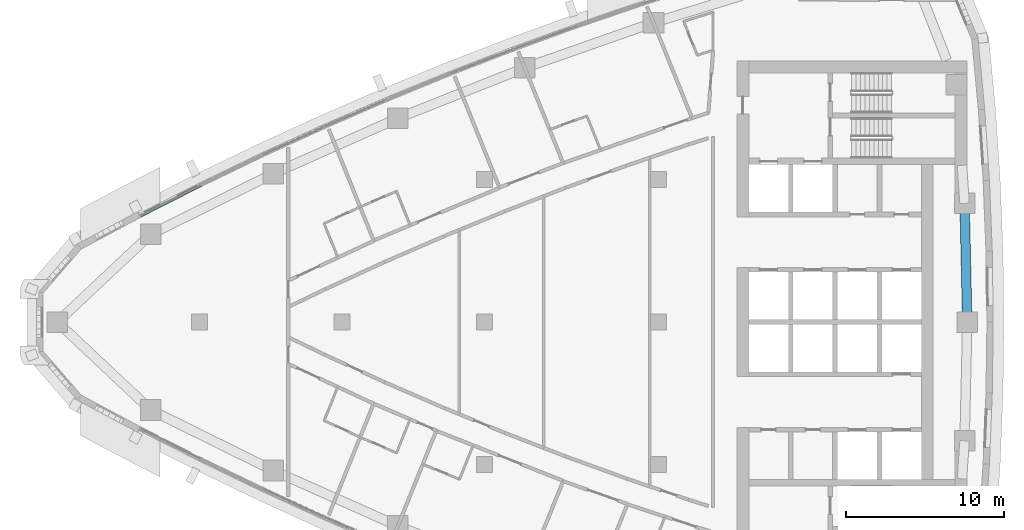
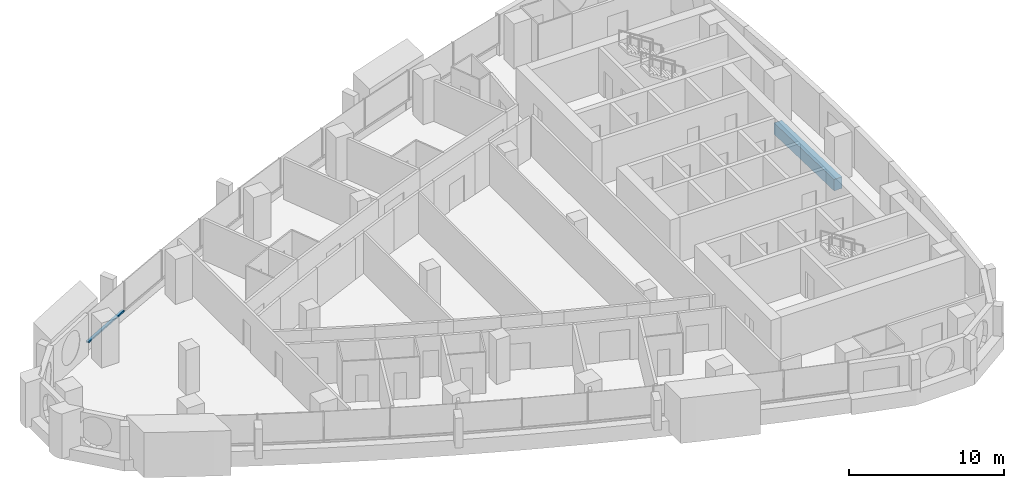
# One storey, part 5 of 17: 1 beam, 1 member, 1 element without a shape of its own.
"""IFC4 building model written with IfcOpenShell, lengths in metres."""

from ifc_helpers import new_model, si_unit, direction, frame, origin, origin_2d, place, context, subcontext, project, spatial, rectangle, extrude, material, layer, layer_set, material_profile, profile_set, type_object, element, aggregate, save


model = new_model("IFC4")

# Units and contexts
model_context = context("Model", 3, precision=1e-05, world=origin(), true_north=direction((0.0, 1.0)))
body_context = subcontext(model_context, "Body", "Model", "MODEL_VIEW")
ifc_project = project(units=[si_unit("LENGTHUNIT", "METRE"), si_unit("AREAUNIT", "SQUARE_METRE"), si_unit("VOLUMEUNIT", "CUBIC_METRE"), si_unit("PLANEANGLEUNIT", "RADIAN"), si_unit("MASSUNIT", "GRAM", prefix="KILO")], contexts=[model_context])

# Site, building, storey
site_placement = place(None, origin())
site = spatial("IfcSite", under=ifc_project, at=site_placement, CompositionType="ELEMENT")
building_placement = place(site_placement, origin())
building = spatial("IfcBuilding", under=site, at=building_placement, Name="Ostrand Prow Hotel Tower", CompositionType="ELEMENT")
storey_placement = place(building_placement, frame((0.0, 0.0, 200.35009765625)))
storey = spatial("IfcBuildingStorey", under=building, at=storey_placement, Name="L50", CompositionType="ELEMENT", Elevation=200.35009765625)

# Beam
ifc_material_1 = material(Name="Concrete C60/75", Category="concrete")
ifc_material_profile_1 = material_profile(ifc_material_1, rectangle(XDim=0.60009765625, YDim=0.89990234375, at=origin_2d()), Name="RC 600x900")
ifc_profile_set_1 = profile_set([ifc_material_profile_1], Name="Concrete C60/75")
beam_type = type_object("IfcBeamType", Name="Edge beam 600x900 C60/75", PredefinedType="SPANDREL", material=ifc_profile_set_1)
beam_placement = place(storey_placement, frame((64.5, 0.0, -0.75), z_axis=(-0.022620118241, 0.999744132391, 0.0), x_axis=(-0.999744132391, -0.022620118241, 0.0)))
element("IfcBeam", 1, at=beam_placement, inside=storey, type_object=beam_type, Name="Edge beam B3-B4", PredefinedType="SPANDREL", context=body_context, shape_type="SweptSolid", body=[
    extrude(rectangle(XDim=0.60009765625, YDim=0.89990234375, at=origin_2d()), origin(), (0.0, 0.0, 1.0), 7.501220703125),
])

# Curtain wall, member
ifc_material_2 = material(Name="Insulated glass in bronze anodised frame", Category="glass")
ifc_layer = layer(ifc_material_2, 0.199951171875)
ifc_layer_set = layer_set([ifc_layer], Name="Insulated glass in bronze anodised frame")
curtain_wall_type = type_object("IfcCurtainWallType", Name="Strip curtain wall, fritted glass over bronze spandrel", PredefinedType="NOTDEFINED", material=ifc_layer_set)
curtain_wall_placement = place(storey_placement, origin())
curtain_wall = element("IfcCurtainWall", 2, at=curtain_wall_placement, inside=storey, type_object=curtain_wall_type, Name="CW1 run CWN5", PredefinedType="NOTDEFINED")
ifc_material_3 = material(Name="Bronze anodised aluminium", Category="aluminium")
ifc_material_profile_2 = material_profile(ifc_material_3, rectangle(XDim=0.199951171875, YDim=0.1201171875, at=origin_2d()), Name="Transom 120x200 bronze anodised aluminium")
ifc_profile_set_2 = profile_set([ifc_material_profile_2], Name="Bronze anodised aluminium")
member_type = type_object("IfcMemberType", Name="Transom 120x200 bronze anodised aluminium", PredefinedType="USERDEFINED", material=ifc_profile_set_2)
member_placement = place(storey_placement, frame((16.06787109375, 8.6474609375, 0.9599609375), z_axis=(-0.891672840777, -0.452680400526, 0.0), x_axis=(0.452680400526, -0.891672840777, 0.0)))
member = element("IfcMember", 3, at=member_placement, type_object=member_type, Name="CW1 transom 2.1", ObjectType="TRANSOM", PredefinedType="USERDEFINED", context=body_context, shape_type="SweptSolid", body=[
    extrude(rectangle(XDim=0.199951171875, YDim=0.1201171875, at=origin_2d()), origin(), (0.0, 0.0, 1.0), 4.2451171875),
])
aggregate(curtain_wall, [member])

save(model, "model.ifc")
